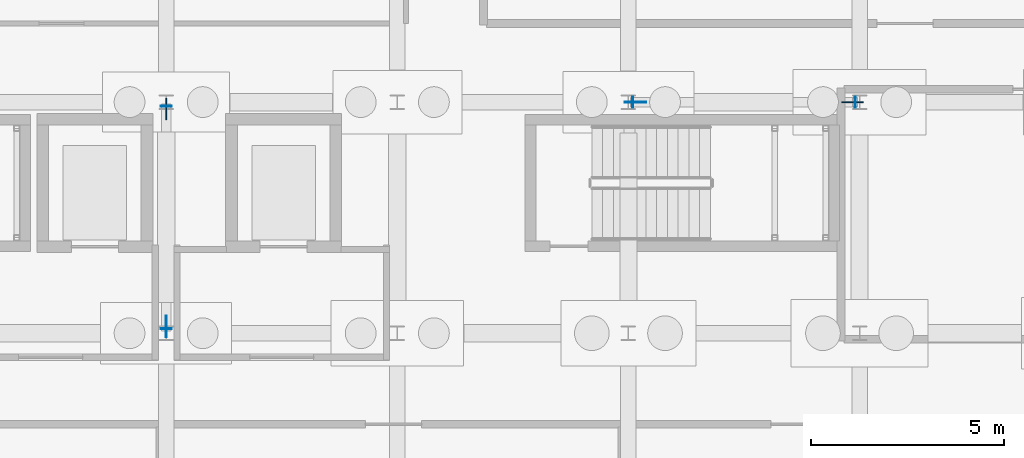
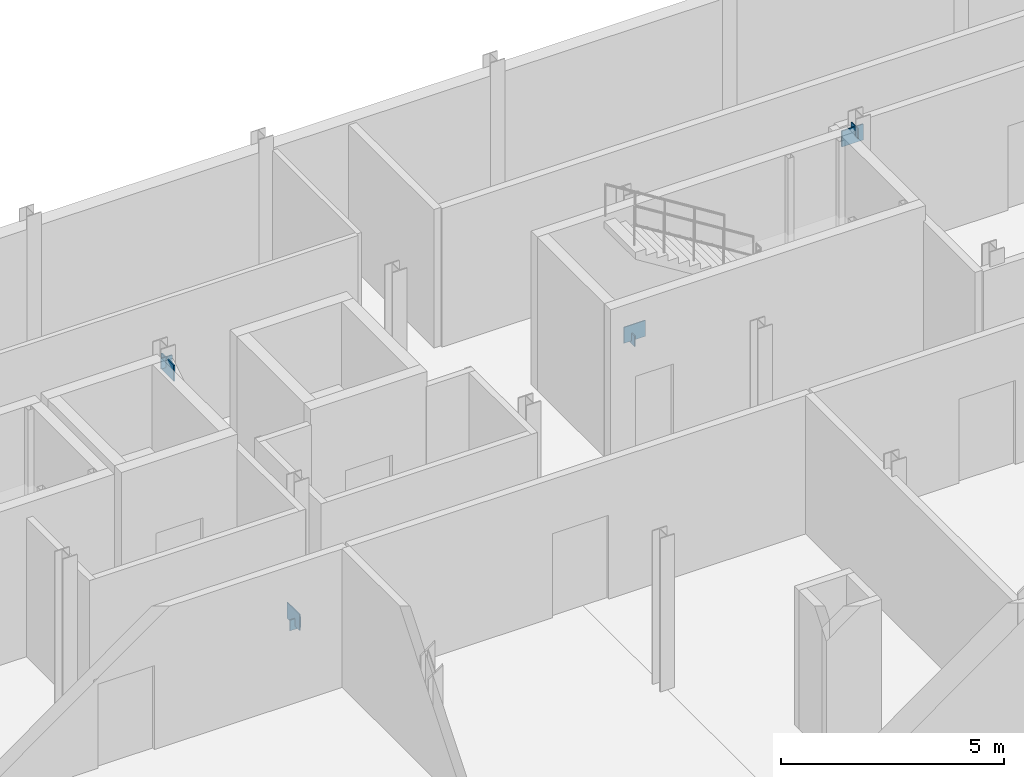
# One storey, part 8 of 12: 8 plates.
"""IFC4 building model written with IfcOpenShell, lengths in metres."""

from ifc_helpers import new_model, si_unit, direction, frame, origin, origin_2d, place, context, subcontext, project, spatial, rectangle, extrude, material, layer, layer_set, type_object, element, save


model = new_model("IFC4")

# Units and contexts
model_context = context("Model", 3, precision=1e-05, world=origin(), true_north=direction((0.0, 1.0)))
body_context = subcontext(model_context, "Body", "Model", "MODEL_VIEW")
ifc_project = project(units=[si_unit("LENGTHUNIT", "METRE"), si_unit("AREAUNIT", "SQUARE_METRE"), si_unit("VOLUMEUNIT", "CUBIC_METRE"), si_unit("PLANEANGLEUNIT", "RADIAN"), si_unit("MASSUNIT", "GRAM", prefix="KILO")], contexts=[model_context])

# Site, building, storey
site_placement = place(None, origin())
site = spatial("IfcSite", under=ifc_project, at=site_placement, CompositionType="ELEMENT")
building_placement = place(site_placement, origin())
building = spatial("IfcBuilding", under=site, at=building_placement, Name="Siltcreek Boulevard Central Fire Station", CompositionType="ELEMENT")
storey_placement = place(building_placement, frame((0.0, 0.0, -4.199951171875)))
storey = spatial("IfcBuildingStorey", under=building, at=storey_placement, Name="B01", CompositionType="ELEMENT", Elevation=-4.199951171875)

# Plates
ifc_material = material(Name="Structural steel ASTM A572 Gr50", Category="steel")
ifc_layer_1 = layer(ifc_material, 0.02490234375, Name="Structural steel ASTM A572 Gr50")
ifc_layer_set_1 = layer_set([ifc_layer_1], Name="Structural steel ASTM A572 Gr50")
plate_type_1 = type_object("IfcPlateType", Name="PL_CAP25", PredefinedType="USERDEFINED", material=ifc_layer_set_1)
for number, where, z_axis, x_axis, name in (
    (1, (148.31103515625, 106.199951171875, -0.05078125), (0.0, 0.0, 1.0), (1.0, 0.0, 0.0), "B01 buckling-restrained brace BR-025 sealed end cap 1"),
    (2, (154.0888671875, 106.199951171875, 3.610595703125), (0.0, 0.0, 1.0), (1.0, 0.0, 0.0), "B01 buckling-restrained brace BR-025 sealed end cap 2"),
    (3, (136.199951171875, 100.31103515625, -0.05078125), (0.0, 0.0, 1.0), (0.0, 1.0, 0.0), "B01 buckling-restrained brace BR-031 sealed end cap 1"),
    (4, (136.199951171875, 106.0888671875, 3.610595703125), (0.0, 0.0, 1.0), (0.0, 1.0, 0.0), "B01 buckling-restrained brace BR-031 sealed end cap 2"),
):
    element("IfcPlate", number, at=place(storey_placement, frame(where, z_axis=z_axis, x_axis=x_axis)), inside=storey, type_object=plate_type_1, Name=name, ObjectType="END CAP", PredefinedType="USERDEFINED", context=body_context, shape_type="SweptSolid", body=[
        extrude(rectangle(XDim=0.02490234375, YDim=0.2900390625, at=origin_2d()), origin(), (0.0, 0.0, 1.0), 0.2900390625),
    ])
ifc_layer_2 = layer(ifc_material, 0.02197265625, Name="Structural steel ASTM A572 Gr50")
ifc_layer_set_2 = layer_set([ifc_layer_2], Name="Structural steel ASTM A572 Gr50")
plate_type_2 = type_object("IfcPlateType", Name="PL_GUS22", PredefinedType="USERDEFINED", material=ifc_layer_set_2)
for number, where, z_axis, x_axis, name in (
    (5, (148.3798828125, 106.199951171875, 0.030029296875), (0.0, 0.0, 1.0), (1.0, 0.0, 0.0), "Seismic brace bot gusset plate GP-083"),
    (6, (136.199951171875, 100.3798828125, 0.030029296875), (0.0, 0.0, 1.0), (0.0, 1.0, 0.0), "Seismic brace bot gusset plate GP-095"),
):
    element("IfcPlate", number, at=place(storey_placement, frame(where, z_axis=z_axis, x_axis=x_axis)), inside=storey, type_object=plate_type_2, Name=name, ObjectType="GUSSET PLATE", PredefinedType="USERDEFINED", context=body_context, shape_type="SweptSolid", body=[
        extrude(rectangle(XDim=0.56005859375, YDim=0.02197265625, at=origin_2d()), origin(), (0.0, 0.0, 1.0), 0.43994140625),
    ])
ifc_layer_3 = layer(ifc_material, 0.028076171875, Name="Structural steel ASTM A572 Gr50")
ifc_layer_set_3 = layer_set([ifc_layer_3], Name="Structural steel ASTM A572 Gr50")
plate_type_3 = type_object("IfcPlateType", Name="PL_GUS28", PredefinedType="USERDEFINED", material=ifc_layer_set_3)
for number, where, z_axis, x_axis, name in (
    (7, (154.02001953125, 106.199951171875, 3.429931640625), (0.0, 0.0, 1.0), (1.0, 0.0, 0.0), "Seismic brace top gusset plate GP-084"),
    (8, (136.199951171875, 106.02001953125, 3.429931640625), (0.0, 0.0, 1.0), (0.0, 1.0, 0.0), "Seismic brace top gusset plate GP-096"),
):
    element("IfcPlate", number, at=place(storey_placement, frame(where, z_axis=z_axis, x_axis=x_axis)), inside=storey, type_object=plate_type_3, Name=name, ObjectType="GUSSET PLATE", PredefinedType="USERDEFINED", context=body_context, shape_type="SweptSolid", body=[
        extrude(rectangle(XDim=0.56005859375, YDim=0.028076171875, at=origin_2d()), origin(), (0.0, 0.0, 1.0), 0.43994140625),
    ])

save(model, "model.ifc")
